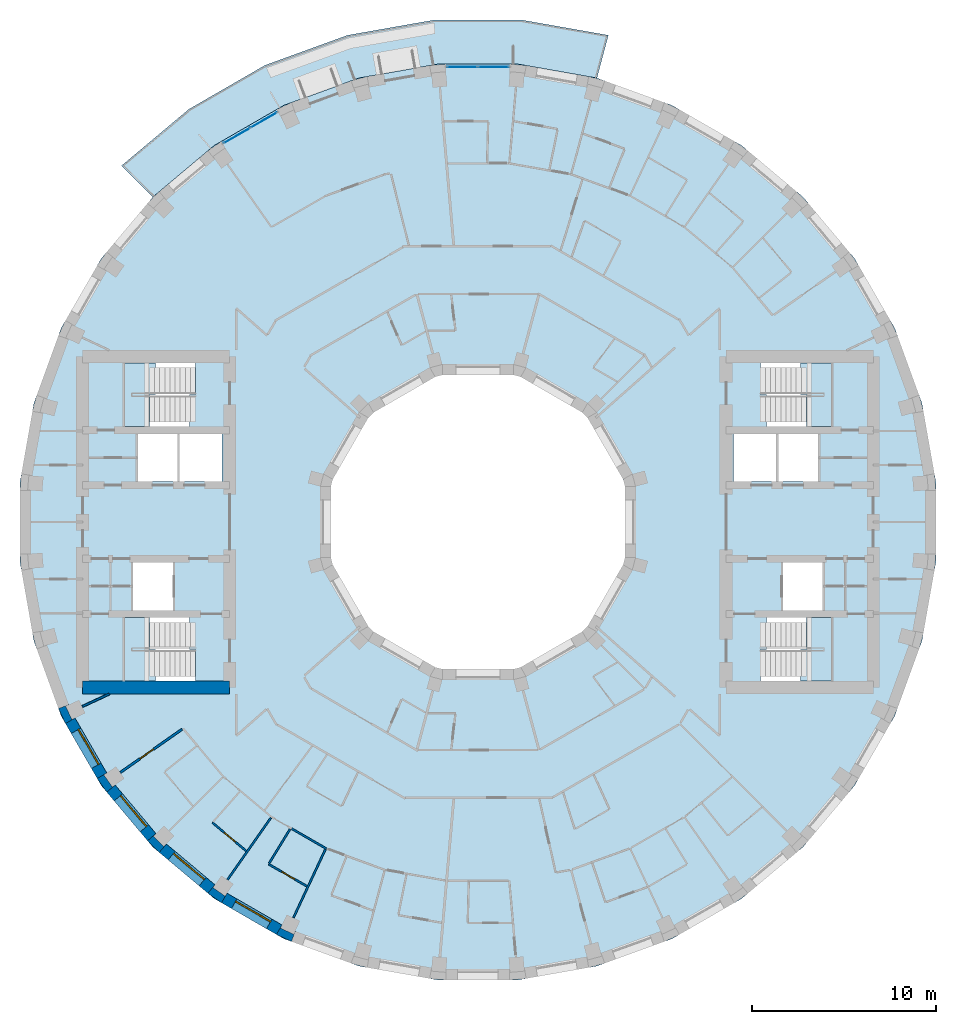
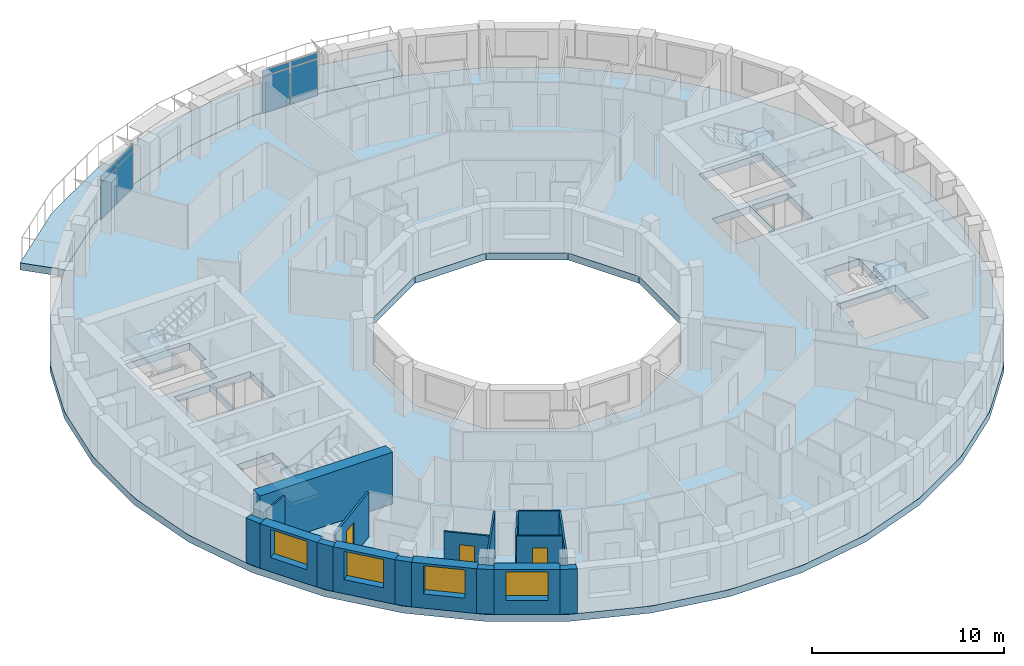
# One storey, part 3 of 14: 18 walls, 8 plates, 6 slabs, 4 windows, 3 doors, 7 openings, 6 elements without a shape of their own.
"""IFC4 building model written with IfcOpenShell, lengths in metres."""

from ifc_helpers import new_model, si_unit, direction, frame, frame_2d, origin, origin_2d, place, context, subcontext, project, spatial, polyline, rectangle, outline, extrude, material, layer, layer_set, type_object, element, fill, aggregate, save


model = new_model("IFC4")

# Units and contexts
model_context = context("Model", 3, precision=1e-05, world=origin(), true_north=direction((0.0, 1.0)))
body_context = subcontext(model_context, "Body", "Model", "MODEL_VIEW")
ifc_project = project(units=[si_unit("LENGTHUNIT", "METRE"), si_unit("AREAUNIT", "SQUARE_METRE"), si_unit("VOLUMEUNIT", "CUBIC_METRE"), si_unit("PLANEANGLEUNIT", "RADIAN"), si_unit("MASSUNIT", "GRAM", prefix="KILO")], contexts=[model_context])

# Site, building, storey
site_placement = place(None, origin())
site = spatial("IfcSite", under=ifc_project, at=site_placement, CompositionType="ELEMENT")
building_placement = place(site_placement, origin())
building = spatial("IfcBuilding", under=site, at=building_placement, Name="Saqina Gate Tower", CompositionType="ELEMENT")
storey_placement = place(building_placement, frame((0.0, 0.0, 210.300048828125)))
storey = spatial("IfcBuildingStorey", under=building, at=storey_placement, Name="L60", CompositionType="ELEMENT", Elevation=210.300048828125)

# Curtain wall, plates
ifc_material_1 = material(Name="Aluminium glazing", Category="aluminium")
ifc_layer_1 = layer(ifc_material_1, 0.159912109375)
ifc_layer_set_1 = layer_set([ifc_layer_1], Name="CWT-4")
curtain_wall_type = type_object("IfcCurtainWallType", Name="CWT-4", PredefinedType="NOTDEFINED", material=ifc_layer_set_1)
curtain_wall_1_placement = place(storey_placement, origin())
curtain_wall_1 = element("IfcCurtainWall", 1, at=curtain_wall_1_placement, inside=storey, type_object=curtain_wall_type, Name="Terrace lounge glazing facet 9", PredefinedType="NOTDEFINED")
ifc_material_2 = material(Name="Glass", Category="glass")
ifc_layer_2 = layer(ifc_material_2, 0.028076171875)
ifc_layer_set_2 = layer_set([ifc_layer_2], Name="CWT-4P")
plate_type = type_object("IfcPlateType", Name="CWT-4P", PredefinedType="CURTAIN_PANEL", material=ifc_layer_set_2)
plate_1_placement = place(storey_placement, frame((0.847412109375, 24.7548828125, 0.059814453125), z_axis=(0.0, 0.0, 1.0), x_axis=(-1.0, 0.0, 0.0)))
plate_1 = element("IfcPlate", 2, at=plate_1_placement, type_object=plate_type, Name="CW4-09 panel 1.1", PredefinedType="CURTAIN_PANEL", context=body_context, shape_type="SweptSolid", body=[
    extrude(rectangle(XDim=1.635009765625, YDim=0.028076171875, at=origin_2d()), origin(), (0.0, 0.0, 1.0), 2.31005859375),
])
plate_2_placement = place(storey_placement, frame((0.847412109375, 24.7548828125, 2.4296875), z_axis=(0.0, 0.0, 1.0), x_axis=(-1.0, 0.0, 0.0)))
plate_2 = element("IfcPlate", 3, at=plate_2_placement, type_object=plate_type, Name="CW4-09 panel 1.2", PredefinedType="CURTAIN_PANEL", context=body_context, shape_type="SweptSolid", body=[
    extrude(rectangle(XDim=1.635009765625, YDim=0.028076171875, at=origin_2d()), origin(), (0.0, 0.0, 1.0), 0.360107421875),
])
plate_3_placement = place(storey_placement, frame((-0.847412109375, 24.7548828125, 0.059814453125), z_axis=(0.0, 0.0, 1.0), x_axis=(-1.0, 0.0, 0.0)))
plate_3 = element("IfcPlate", 4, at=plate_3_placement, type_object=plate_type, Name="CW4-09 panel 2.1", PredefinedType="CURTAIN_PANEL", context=body_context, shape_type="SweptSolid", body=[
    extrude(rectangle(XDim=1.635009765625, YDim=0.028076171875, at=origin_2d()), origin(), (0.0, 0.0, 1.0), 2.31005859375),
])
plate_4_placement = place(storey_placement, frame((-0.847412109375, 24.7548828125, 2.4296875), z_axis=(0.0, 0.0, 1.0), x_axis=(-1.0, 0.0, 0.0)))
plate_4 = element("IfcPlate", 5, at=plate_4_placement, type_object=plate_type, Name="CW4-09 panel 2.2", PredefinedType="CURTAIN_PANEL", context=body_context, shape_type="SweptSolid", body=[
    extrude(rectangle(XDim=1.635009765625, YDim=0.028076171875, at=origin_2d()), origin(), (0.0, 0.0, 1.0), 0.360107421875),
])
aggregate(curtain_wall_1, [plate_1, plate_2, plate_3, plate_4])

curtain_wall_2_placement = place(storey_placement, origin())
curtain_wall_2 = element("IfcCurtainWall", 6, at=curtain_wall_2_placement, inside=storey, type_object=curtain_wall_type, Name="Terrace lounge glazing facet 12", PredefinedType="NOTDEFINED")
plate_5_placement = place(storey_placement, frame((-11.6435546875, 21.862060546875, 0.059814453125), z_axis=(0.0, 0.0, 1.0), x_axis=(-0.866017110341, -0.500014364391, 0.0)))
plate_5 = element("IfcPlate", 7, at=plate_5_placement, type_object=plate_type, Name="CW4-12 panel 1.1", PredefinedType="CURTAIN_PANEL", context=body_context, shape_type="SweptSolid", body=[
    extrude(rectangle(XDim=1.634765625, YDim=0.028076171875, at=origin_2d()), origin(), (0.0, 0.0, 1.0), 2.31005859375),
])
plate_6_placement = place(storey_placement, frame((-11.6435546875, 21.862060546875, 2.4296875), z_axis=(0.0, 0.0, 1.0), x_axis=(-0.866017110341, -0.500014364391, 0.0)))
plate_6 = element("IfcPlate", 8, at=plate_6_placement, type_object=plate_type, Name="CW4-12 panel 1.2", PredefinedType="CURTAIN_PANEL", context=body_context, shape_type="SweptSolid", body=[
    extrude(rectangle(XDim=1.634765625, YDim=0.028076171875, at=origin_2d()), origin(), (0.0, 0.0, 1.0), 0.360107421875),
])
plate_7_placement = place(storey_placement, frame((-13.111328125, 21.0146484375, 0.059814453125), z_axis=(0.0, 0.0, 1.0), x_axis=(-0.866017110341, -0.500014364391, 0.0)))
plate_7 = element("IfcPlate", 9, at=plate_7_placement, type_object=plate_type, Name="CW4-12 panel 2.1", PredefinedType="CURTAIN_PANEL", context=body_context, shape_type="SweptSolid", body=[
    extrude(rectangle(XDim=1.634765625, YDim=0.028076171875, at=origin_2d()), origin(), (0.0, 0.0, 1.0), 2.31005859375),
])
plate_8_placement = place(storey_placement, frame((-13.111328125, 21.0146484375, 2.4296875), z_axis=(0.0, 0.0, 1.0), x_axis=(-0.866017110341, -0.500014364391, 0.0)))
plate_8 = element("IfcPlate", 10, at=plate_8_placement, type_object=plate_type, Name="CW4-12 panel 2.2", PredefinedType="CURTAIN_PANEL", context=body_context, shape_type="SweptSolid", body=[
    extrude(rectangle(XDim=1.634765625, YDim=0.028076171875, at=origin_2d()), origin(), (0.0, 0.0, 1.0), 0.360107421875),
])
aggregate(curtain_wall_2, [plate_5, plate_6, plate_7, plate_8])

# Stair, slab
ifc_material_3 = material(Name="Concrete C40/50", Category="concrete")
stair_type = type_object("IfcStairType", Name="EXIT STAIR", PredefinedType="HALF_TURN_STAIR", material=ifc_material_3)
stair_1_placement = place(storey_placement, origin())
stair_1 = element("IfcStair", 11, at=stair_1_placement, inside=storey, type_object=stair_type, Name="EXIT STAIR 1", PredefinedType="HALF_TURN_STAIR")
ifc_material_4 = material(Name="Concrete C40/50", Category="concrete")
ifc_layer_3 = layer(ifc_material_4, 0.25)
ifc_layer_set_3 = layer_set([ifc_layer_3], Name="Concrete C40/50")
slab_type_1 = type_object("IfcSlabType", Name="EXIT STAIR LANDING", PredefinedType="LANDING", material=ifc_layer_set_3)
slab_1_placement = place(storey_placement, frame((0.0, 0.0, 1.39990234375)))
slab_1 = element("IfcSlab", 12, at=slab_1_placement, type_object=slab_type_1, Name="EXIT STAIR 1 LANDING 1", PredefinedType="LANDING", context=body_context, shape_type="SweptSolid", body=[
    extrude(outline(polyline([(19.219970703125, 8.64990234375), (19.219970703125, 5.199951171875), (17.864990234375, 5.199951171875), (17.864990234375, 6.925048828125), (17.534423828125, 6.925048828125), (17.534423828125, 8.64990234375), (17.864990234375, 8.64990234375), (17.8701171875, 8.64990234375), (19.219970703125, 8.64990234375)])), origin(), (0.0, 0.0, 1.0), 0.25),
])
aggregate(stair_1, [slab_1])

stair_2_placement = place(storey_placement, origin())
stair_2 = element("IfcStair", 13, at=stair_2_placement, inside=storey, type_object=stair_type, Name="EXIT STAIR 2", PredefinedType="HALF_TURN_STAIR")
slab_2_placement = place(storey_placement, frame((0.0, 0.0, 1.39990234375)))
slab_2 = element("IfcSlab", 14, at=slab_2_placement, type_object=slab_type_1, Name="EXIT STAIR 2 LANDING 1", PredefinedType="LANDING", context=body_context, shape_type="SweptSolid", body=[
    extrude(outline(polyline([(17.534423828125, -8.64990234375), (17.534423828125, -6.925048828125), (17.864990234375, -6.925048828125), (17.864990234375, -5.199951171875), (19.219970703125, -5.199951171875), (19.219970703125, -8.64990234375), (17.8701171875, -8.64990234375), (17.864990234375, -8.64990234375), (17.534423828125, -8.64990234375)])), origin(), (0.0, 0.0, 1.0), 0.25),
])
aggregate(stair_2, [slab_2])

stair_3_placement = place(storey_placement, origin())
stair_3 = element("IfcStair", 15, at=stair_3_placement, inside=storey, type_object=stair_type, Name="EXIT STAIR 3", PredefinedType="HALF_TURN_STAIR")
slab_3_placement = place(storey_placement, frame((0.0, 0.0, 1.39990234375)))
slab_3 = element("IfcSlab", 16, at=slab_3_placement, type_object=slab_type_1, Name="EXIT STAIR 3 LANDING 1", PredefinedType="LANDING", context=body_context, shape_type="SweptSolid", body=[
    extrude(outline(polyline([(-17.864990234375, 5.199951171875), (-19.219970703125, 5.199951171875), (-19.219970703125, 8.64990234375), (-17.8701171875, 8.64990234375), (-17.864990234375, 8.64990234375), (-17.534423828125, 8.64990234375), (-17.534423828125, 6.925048828125), (-17.864990234375, 6.925048828125), (-17.864990234375, 5.199951171875)])), origin(), (0.0, 0.0, 1.0), 0.25),
])
aggregate(stair_3, [slab_3])

stair_4_placement = place(storey_placement, origin())
stair_4 = element("IfcStair", 17, at=stair_4_placement, inside=storey, type_object=stair_type, Name="EXIT STAIR 4", PredefinedType="HALF_TURN_STAIR")
slab_4_placement = place(storey_placement, frame((0.0, 0.0, 1.39990234375)))
slab_4 = element("IfcSlab", 18, at=slab_4_placement, type_object=slab_type_1, Name="EXIT STAIR 4 LANDING 1", PredefinedType="LANDING", context=body_context, shape_type="SweptSolid", body=[
    extrude(outline(polyline([(-17.534423828125, -6.925048828125), (-17.534423828125, -8.64990234375), (-17.864990234375, -8.64990234375), (-17.8701171875, -8.64990234375), (-19.219970703125, -8.64990234375), (-19.219970703125, -5.199951171875), (-17.864990234375, -5.199951171875), (-17.864990234375, -6.925048828125), (-17.534423828125, -6.925048828125)])), origin(), (0.0, 0.0, 1.0), 0.25),
])
aggregate(stair_4, [slab_4])

# Slabs
ifc_material_5 = material(Name="Concrete C40/50", Category="concrete")
ifc_layer_4 = layer(ifc_material_5, 0.449951171875)
ifc_layer_set_4 = layer_set([ifc_layer_4], Name="Concrete C40/50")
slab_type_2 = type_object("IfcSlabType", Name="STR-POST-TENSIONED FLAT PLATE FLOOR-450", PredefinedType="FLOOR", material=ifc_layer_set_4)
slab_5_placement = place(storey_placement, frame((0.0, 0.0, -0.449951171875)))
element("IfcSlab", 19, at=slab_5_placement, inside=storey, type_object=slab_type_2, Name="L60-SLB01", PredefinedType="FLOOR", context=body_context, shape_type="SweptSolid", body=[
    extrude(outline(polyline([(24.148193359375, -6.470458984375), (24.90478515625, -2.178955078125), (24.90478515625, 2.178955078125), (24.148193359375, 6.470458984375), (22.65771484375, 10.5654296875), (20.478759765625, 14.33935546875), (17.677734375, 17.677734375), (14.33935546875, 20.478759765625), (10.5654296875, 22.65771484375), (6.470458984375, 24.148193359375), (2.178955078125, 24.90478515625), (-2.178955078125, 24.90478515625), (-6.470458984375, 24.148193359375), (-10.5654296875, 22.65771484375), (-14.33935546875, 20.478759765625), (-17.677734375, 17.677734375), (-20.478759765625, 14.33935546875), (-22.65771484375, 10.5654296875), (-24.148193359375, 6.470458984375), (-24.90478515625, 2.178955078125), (-24.90478515625, -2.178955078125), (-24.148193359375, -6.470458984375), (-22.65771484375, -10.5654296875), (-20.478759765625, -14.33935546875), (-17.677734375, -17.677734375), (-14.33935546875, -20.478759765625), (-10.5654296875, -22.65771484375), (-6.470458984375, -24.148193359375), (-2.178955078125, -24.90478515625), (2.178955078125, -24.90478515625), (6.470458984375, -24.148193359375), (10.5654296875, -22.65771484375), (14.33935546875, -20.478759765625), (17.677734375, -17.677734375), (20.478759765625, -14.33935546875), (22.65771484375, -10.5654296875), (24.148193359375, -6.470458984375)]), holes=[polyline([(2.1435546875, 8.0), (5.8564453125, 5.8564453125), (8.0, 2.1435546875), (8.0, -2.1435546875), (5.8564453125, -5.8564453125), (2.1435546875, -8.0), (-2.1435546875, -8.0), (-5.8564453125, -5.8564453125), (-8.0, -2.1435546875), (-8.0, 2.1435546875), (-5.8564453125, 5.8564453125), (-2.1435546875, 8.0), (2.1435546875, 8.0)]), polyline([(-15.35498046875, -8.64990234375), (-19.219970703125, -8.64990234375), (-19.219970703125, -6.925048828125), (-19.219970703125, -5.199951171875), (-15.685546875, -5.199951171875), (-15.685546875, -6.925048828125), (-15.35498046875, -6.925048828125), (-15.35498046875, -8.64990234375)]), polyline([(-16.590087890625, -2.199951171875), (-16.590087890625, -4.800048828125), (-18.75, -4.800048828125), (-18.75, -2.199951171875), (-16.590087890625, -2.199951171875)]), polyline([(-16.340087890625, 4.800048828125), (-16.340087890625, 2.199951171875), (-18.5, 2.199951171875), (-18.5, 4.800048828125), (-16.340087890625, 4.800048828125)]), polyline([(-13.909912109375, 4.800048828125), (-13.909912109375, 2.199951171875), (-16.219970703125, 2.199951171875), (-16.219970703125, 4.800048828125), (-13.909912109375, 4.800048828125)]), polyline([(-19.219970703125, 6.925048828125), (-19.219970703125, 8.64990234375), (-15.35498046875, 8.64990234375), (-15.35498046875, 6.925048828125), (-15.685546875, 6.925048828125), (-15.685546875, 5.199951171875), (-19.219970703125, 5.199951171875), (-19.219970703125, 6.925048828125)]), polyline([(15.35498046875, -8.64990234375), (15.35498046875, -6.925048828125), (15.685546875, -6.925048828125), (15.685546875, -5.199951171875), (19.219970703125, -5.199951171875), (19.219970703125, -6.925048828125), (19.219970703125, -8.64990234375), (15.35498046875, -8.64990234375)]), polyline([(18.75, -2.199951171875), (18.75, -4.800048828125), (16.590087890625, -4.800048828125), (16.590087890625, -2.199951171875), (18.75, -2.199951171875)]), polyline([(16.219970703125, 4.800048828125), (16.219970703125, 2.199951171875), (13.909912109375, 2.199951171875), (13.909912109375, 4.800048828125), (16.219970703125, 4.800048828125)]), polyline([(18.5, 4.800048828125), (18.5, 2.199951171875), (16.340087890625, 2.199951171875), (16.340087890625, 4.800048828125), (18.5, 4.800048828125)]), polyline([(15.685546875, 6.925048828125), (15.35498046875, 6.925048828125), (15.35498046875, 8.64990234375), (19.219970703125, 8.64990234375), (19.219970703125, 6.925048828125), (19.219970703125, 5.199951171875), (15.685546875, 5.199951171875), (15.685546875, 6.925048828125)])]), origin(), (0.0, 0.0, 1.0), 0.449951171875),
])
ifc_material_6 = material(Name="Concrete C40/50", Category="concrete")
ifc_layer_5 = layer(ifc_material_6, 0.449951171875)
ifc_layer_set_5 = layer_set([ifc_layer_5], Name="Concrete C40/50")
slab_type_3 = type_object("IfcSlabType", Name="STR-POST-TENSIONED FLAT PLATE TERRACE-450", PredefinedType="FLOOR", material=ifc_layer_set_5)
slab_6_placement = place(storey_placement, frame((0.0, 0.0, -0.449951171875)))
element("IfcSlab", 20, at=slab_6_placement, inside=storey, type_object=slab_type_3, Name="L60-TRS01", PredefinedType="FLOOR", context=body_context, shape_type="SweptSolid", body=[
    extrude(outline(polyline([(6.470458984375, 24.148193359375), (2.178955078125, 24.90478515625), (-2.178955078125, 24.90478515625), (-6.470458984375, 24.148193359375), (-10.5654296875, 22.65771484375), (-14.33935546875, 20.478759765625), (-17.677734375, 17.677734375), (-19.381103515625, 19.381103515625), (-15.72119140625, 22.452392578125), (-11.58349609375, 24.841064453125), (-7.093994140625, 26.475341796875), (-2.388916015625, 27.304931640625), (2.388916015625, 27.304931640625), (7.093994140625, 26.475341796875), (6.470458984375, 24.148193359375)])), origin(), (0.0, 0.0, 1.0), 0.449951171875),
])

# Walls
ifc_material_7 = material(Name="Brick masonry (buff)", Category="masonry")
wall_type_1 = type_object("IfcWallType", Name="BRICK PIER COPING BUFF", PredefinedType="SOLIDWALL", material=ifc_material_7)
wall_1_placement = place(storey_placement, origin())
element("IfcWall", 21, at=wall_1_placement, inside=storey, type_object=wall_type_1, Name="Pier cap L60 column 21", PredefinedType="SOLIDWALL", context=body_context, shape_type="SweptSolid", body=[
    extrude(outline(polyline([(-22.4306640625, -10.958740234375), (-21.9111328125, -10.65869140625), (-22.080810546875, -10.73779296875), (-22.4189453125, -10.0126953125), (-22.249267578125, -9.93359375), (-22.81298828125, -10.138916015625), (-22.4306640625, -10.958740234375)])), origin(), (0.0, 0.0, 1.0), 2.849853515625),
])
wall_2_placement = place(storey_placement, origin())
element("IfcWall", 22, at=wall_2_placement, inside=storey, type_object=wall_type_1, Name="Pier cap L60 column 22", PredefinedType="SOLIDWALL", context=body_context, shape_type="SweptSolid", body=[
    extrude(outline(polyline([(-20.705810546875, -13.9462890625), (-20.18701171875, -14.687255859375), (-19.727294921875, -14.301513671875), (-19.880859375, -14.408935546875), (-20.339599609375, -13.753662109375), (-20.186279296875, -13.646240234375), (-20.705810546875, -13.9462890625)])), origin(), (0.0, 0.0, 1.0), 2.849853515625),
])
wall_3_placement = place(storey_placement, origin())
element("IfcWall", 23, at=wall_3_placement, inside=storey, type_object=wall_type_1, Name="Pier cap L60 column 23", PredefinedType="SOLIDWALL", context=body_context, shape_type="SweptSolid", body=[
    extrude(outline(polyline([(-17.329833984375, -17.969482421875), (-16.944091796875, -17.510009765625), (-17.07666015625, -17.642333984375), (-17.642333984375, -17.07666015625), (-17.510009765625, -16.944091796875), (-17.969482421875, -17.329833984375), (-17.329833984375, -17.969482421875)])), origin(), (0.0, 0.0, 1.0), 2.849853515625),
])
wall_4_placement = place(storey_placement, origin())
element("IfcWall", 24, at=wall_4_placement, inside=storey, type_object=wall_type_1, Name="Pier cap L60 column 24", PredefinedType="SOLIDWALL", context=body_context, shape_type="SweptSolid", body=[
    extrude(outline(polyline([(-14.687255859375, -20.18701171875), (-13.9462890625, -20.705810546875), (-13.646240234375, -20.186279296875), (-13.753662109375, -20.339599609375), (-14.408935546875, -19.880859375), (-14.301513671875, -19.727294921875), (-14.687255859375, -20.18701171875)])), origin(), (0.0, 0.0, 1.0), 2.849853515625),
])
wall_5_placement = place(storey_placement, origin())
element("IfcWall", 25, at=wall_5_placement, inside=storey, type_object=wall_type_1, Name="Pier cap L60 column 25", PredefinedType="SOLIDWALL", context=body_context, shape_type="SweptSolid", body=[
    extrude(outline(polyline([(-10.138916015625, -22.81298828125), (-9.93359375, -22.249267578125), (-10.0126953125, -22.4189453125), (-10.73779296875, -22.080810546875), (-10.65869140625, -21.9111328125), (-10.958740234375, -22.4306640625), (-10.138916015625, -22.81298828125)])), origin(), (0.0, 0.0, 1.0), 2.849853515625),
])

# Wall, opening, window
ifc_material_8 = material(Name="Brick masonry (buff)", Category="masonry")
ifc_layer_6 = layer(ifc_material_8, 0.60009765625)
ifc_layer_set_6 = layer_set([ifc_layer_6], Name="FW-BRICK-BUFF")
wall_type_2 = type_object("IfcWallType", Name="FW-BRICK-BUFF", PredefinedType="SOLIDWALL", material=ifc_layer_set_6)
wall_6_placement = place(storey_placement, frame((-22.1708984375, -10.80859375, 0.0), z_axis=(0.0, 0.0, 1.0), x_axis=(0.499998129301, -0.86602648383, 0.0)))
wall_6 = element("IfcWall", 26, at=wall_6_placement, inside=storey, type_object=wall_type_2, Name="Facade wall L60 facet 21", PredefinedType="SOLIDWALL", context=body_context, shape_type="SweptSolid", body=[
    extrude(rectangle(XDim=3.44970703125, YDim=0.60009765625, at=frame_2d((1.724853515625, 0.0))), origin(), (0.0, 0.0, 1.0), 2.849853515625),
])
opening_1_placement = place(wall_6_placement, frame((0.625, 0.0, 0.89990234375)))
opening_1 = element("IfcOpeningElement", 27, at=opening_1_placement, cuts=wall_6, Name="Opening G18-W10", PredefinedType="OPENING", context=body_context, shape_type="SweptSolid", body=[
    extrude(rectangle(XDim=2.199951171875, YDim=1.800048828125, at=frame_2d((1.10009765625, 0.89990234375))), frame((0.0, 0.31201171875, 0.0), z_axis=(0.0, -1.0, 0.0), x_axis=(1.0, 0.0, 0.0)), (0.0, 0.0, 1.0), 0.6240234375),
])
ifc_material_9 = material(Name="Aluminium glazing", Category="aluminium")
window_type = type_object("IfcWindowType", Name="WN-C", PartitioningType="SINGLE_PANEL", PredefinedType="WINDOW", material=ifc_material_9)
window_1_placement = place(opening_1_placement, origin())
window_1 = element("IfcWindow", 28, at=window_1_placement, inside=storey, type_object=window_type, Name="Window L60 facet 21", OverallHeight=1.800048828125, OverallWidth=2.199951171875, PartitioningType="SINGLE_PANEL", PredefinedType="WINDOW", context=body_context, shape_type="SweptSolid", body=[
    extrude(rectangle(XDim=2.199951171875, YDim=1.800048828125, at=frame_2d((1.10009765625, 0.89990234375))), frame((0.0, 0.179931640625, 0.0), z_axis=(0.0, -1.0, 0.0), x_axis=(1.0, 0.0, 0.0)), (0.0, 0.0, 1.0), 0.06005859375),
])
fill(opening_1, window_1)

wall_7_placement = place(storey_placement, frame((-19.95703125, -14.494384765625, 0.0), z_axis=(0.0, 0.0, 1.0), x_axis=(0.642770398358, -0.766058884809, 0.0)))
wall_7 = element("IfcWall", 29, at=wall_7_placement, inside=storey, type_object=wall_type_2, Name="Facade wall L60 facet 22", PredefinedType="SOLIDWALL", context=body_context, shape_type="SweptSolid", body=[
    extrude(rectangle(XDim=3.449462890625, YDim=0.60009765625, at=frame_2d((1.724609375, 0.0))), origin(), (0.0, 0.0, 1.0), 2.849853515625),
])
opening_2_placement = place(wall_7_placement, frame((0.625, 0.0, 0.89990234375)))
opening_2 = element("IfcOpeningElement", 30, at=opening_2_placement, cuts=wall_7, Name="Opening G18-W11", PredefinedType="OPENING", context=body_context, shape_type="SweptSolid", body=[
    extrude(rectangle(XDim=2.199951171875, YDim=1.800048828125, at=frame_2d((1.10009765625, 0.89990234375))), frame((0.0, 0.31201171875, 0.0), z_axis=(0.0, -1.0, 0.0), x_axis=(1.0, 0.0, 0.0)), (0.0, 0.0, 1.0), 0.6240234375),
])
window_2_placement = place(opening_2_placement, origin())
window_2 = element("IfcWindow", 31, at=window_2_placement, inside=storey, type_object=window_type, Name="Window L60 facet 22", OverallHeight=1.800048828125, OverallWidth=2.199951171875, PartitioningType="SINGLE_PANEL", PredefinedType="WINDOW", context=body_context, shape_type="SweptSolid", body=[
    extrude(rectangle(XDim=2.199951171875, YDim=1.800048828125, at=frame_2d((1.10009765625, 0.89990234375))), frame((0.0, 0.179931640625, 0.0), z_axis=(0.0, -1.0, 0.0), x_axis=(1.0, 0.0, 0.0)), (0.0, 0.0, 1.0), 0.06005859375),
])
fill(opening_2, window_2)

wall_8_placement = place(storey_placement, frame((-17.136962890625, -17.73974609375, 0.0), z_axis=(0.0, 0.0, 1.0), x_axis=(0.766058884809, -0.642770398358, 0.0)))
wall_8 = element("IfcWall", 32, at=wall_8_placement, inside=storey, type_object=wall_type_2, Name="Facade wall L60 facet 23", PredefinedType="SOLIDWALL", context=body_context, shape_type="SweptSolid", body=[
    extrude(rectangle(XDim=3.449462890625, YDim=0.60009765625, at=frame_2d((1.724609375, 0.0))), origin(), (0.0, 0.0, 1.0), 2.849853515625),
])
opening_3_placement = place(wall_8_placement, frame((0.625, 0.0, 0.89990234375)))
opening_3 = element("IfcOpeningElement", 33, at=opening_3_placement, cuts=wall_8, Name="Opening G18-W12", PredefinedType="OPENING", context=body_context, shape_type="SweptSolid", body=[
    extrude(rectangle(XDim=2.199951171875, YDim=1.800048828125, at=frame_2d((1.10009765625, 0.89990234375))), frame((0.0, 0.31201171875, 0.0), z_axis=(0.0, -1.0, 0.0), x_axis=(1.0, 0.0, 0.0)), (0.0, 0.0, 1.0), 0.6240234375),
])
window_3_placement = place(opening_3_placement, origin())
window_3 = element("IfcWindow", 34, at=window_3_placement, inside=storey, type_object=window_type, Name="Window L60 facet 23", OverallHeight=1.800048828125, OverallWidth=2.199951171875, PartitioningType="SINGLE_PANEL", PredefinedType="WINDOW", context=body_context, shape_type="SweptSolid", body=[
    extrude(rectangle(XDim=2.199951171875, YDim=1.800048828125, at=frame_2d((1.10009765625, 0.89990234375))), frame((0.0, 0.179931640625, 0.0), z_axis=(0.0, -1.0, 0.0), x_axis=(1.0, 0.0, 0.0)), (0.0, 0.0, 1.0), 0.06005859375),
])
fill(opening_3, window_3)

wall_9_placement = place(storey_placement, frame((-13.796142578125, -20.446044921875, 0.0), z_axis=(0.0, 0.0, 1.0), x_axis=(0.86602648383, -0.499998129301, 0.0)))
wall_9 = element("IfcWall", 35, at=wall_9_placement, inside=storey, type_object=wall_type_2, Name="Facade wall L60 facet 24", PredefinedType="SOLIDWALL", context=body_context, shape_type="SweptSolid", body=[
    extrude(rectangle(XDim=3.44970703125, YDim=0.60009765625, at=frame_2d((1.724853515625, 0.0))), origin(), (0.0, 0.0, 1.0), 2.849853515625),
])
opening_4_placement = place(wall_9_placement, frame((0.625, 0.0, 0.89990234375)))
opening_4 = element("IfcOpeningElement", 36, at=opening_4_placement, cuts=wall_9, Name="Opening G18-W13", PredefinedType="OPENING", context=body_context, shape_type="SweptSolid", body=[
    extrude(rectangle(XDim=2.199951171875, YDim=1.800048828125, at=frame_2d((1.10009765625, 0.89990234375))), frame((0.0, 0.31201171875, 0.0), z_axis=(0.0, -1.0, 0.0), x_axis=(1.0, 0.0, 0.0)), (0.0, 0.0, 1.0), 0.6240234375),
])
window_4_placement = place(opening_4_placement, origin())
window_4 = element("IfcWindow", 37, at=window_4_placement, inside=storey, type_object=window_type, Name="Window L60 facet 24", OverallHeight=1.800048828125, OverallWidth=2.199951171875, PartitioningType="SINGLE_PANEL", PredefinedType="WINDOW", context=body_context, shape_type="SweptSolid", body=[
    extrude(rectangle(XDim=2.199951171875, YDim=1.800048828125, at=frame_2d((1.10009765625, 0.89990234375))), frame((0.0, 0.179931640625, 0.0), z_axis=(0.0, -1.0, 0.0), x_axis=(1.0, 0.0, 0.0)), (0.0, 0.0, 1.0), 0.06005859375),
])
fill(opening_4, window_4)

# Wall, opening, door
ifc_material_10 = material(Name="Gypsum board on steel studs, 100 mm", Category="steel")
ifc_layer_7 = layer(ifc_material_10, 0.10009765625)
ifc_layer_set_7 = layer_set([ifc_layer_7], Name="PARTITION 100")
wall_type_3 = type_object("IfcWallType", Name="PARTITION 100", PredefinedType="PARTITIONING", material=ifc_layer_set_7)
wall_10_placement = place(storey_placement, frame((-14.44189453125, -16.345947265625, 0.0), z_axis=(0.0, 0.0, 1.0), x_axis=(0.765878189611, -0.642985690882, 0.0)))
wall_10 = element("IfcWall", 38, at=wall_10_placement, inside=storey, type_object=wall_type_3, Name="PARTITION PW3-21", PredefinedType="PARTITIONING", context=body_context, shape_type="SweptSolid", body=[
    extrude(rectangle(XDim=2.413818359375, YDim=0.10009765625, at=frame_2d((1.20703125, 0.0))), origin(), (0.0, 0.0, 1.0), 2.849853515625),
])
opening_5_placement = place(wall_10_placement, frame((0.831787109375, 0.0, 0.0)))
opening_5 = element("IfcOpeningElement", 39, at=opening_5_placement, cuts=wall_10, Name="Opening G18-D29", PredefinedType="OPENING", context=body_context, shape_type="SweptSolid", body=[
    extrude(rectangle(XDim=0.800048828125, YDim=2.10009765625, at=frame_2d((0.39990234375, 1.050048828125))), frame((0.0, 0.06201171875, 0.0), z_axis=(0.0, -1.0, 0.0), x_axis=(1.0, 0.0, 0.0)), (0.0, 0.0, 1.0), 0.1240234375),
])
ifc_material_11 = material(Name="Timber door leaf, 800 mm", Category="wood")
door_type_1 = type_object("IfcDoorType", Name="DOOR 800 TIMBER", OperationType="SINGLE_SWING_LEFT", PredefinedType="DOOR", material=ifc_material_11)
door_1_placement = place(opening_5_placement, frame((0.800048828125, 0.0, 0.0), z_axis=(0.0, 0.0, 1.0), x_axis=(-1.0, 0.0, 0.0)))
door_1 = element("IfcDoor", 40, at=door_1_placement, inside=storey, type_object=door_type_1, Name="DOOR G18-D29", OperationType="SINGLE_SWING_LEFT", OverallHeight=2.10009765625, OverallWidth=0.800048828125, PredefinedType="DOOR", context=body_context, shape_type="SweptSolid", body=[
    extrude(rectangle(XDim=0.800048828125, YDim=2.10009765625, at=frame_2d((0.39990234375, 1.050048828125))), frame((0.0, 0.02490234375, 0.0), z_axis=(0.0, -1.0, 0.0), x_axis=(1.0, 0.0, 0.0)), (0.0, 0.0, 1.0), 0.050048828125),
])
fill(opening_5, door_1)

wall_11_placement = place(storey_placement, frame((-11.385009765625, -18.60498046875, 0.0), z_axis=(0.0, 0.0, 1.0), x_axis=(0.866145191815, -0.499792463624, 0.0)))
wall_11 = element("IfcWall", 41, at=wall_11_placement, inside=storey, type_object=wall_type_3, Name="PARTITION PW3-25", PredefinedType="PARTITIONING", context=body_context, shape_type="SweptSolid", body=[
    extrude(rectangle(XDim=2.4150390625, YDim=0.10009765625, at=frame_2d((1.20751953125, 0.0))), origin(), (0.0, 0.0, 1.0), 2.849853515625),
])
opening_6_placement = place(wall_11_placement, frame((0.83251953125, 0.0, 0.0)))
opening_6 = element("IfcOpeningElement", 42, at=opening_6_placement, cuts=wall_11, Name="Opening G18-D34", PredefinedType="OPENING", context=body_context, shape_type="SweptSolid", body=[
    extrude(rectangle(XDim=0.800048828125, YDim=2.10009765625, at=frame_2d((0.39990234375, 1.050048828125))), frame((0.0, 0.06201171875, 0.0), z_axis=(0.0, -1.0, 0.0), x_axis=(1.0, 0.0, 0.0)), (0.0, 0.0, 1.0), 0.1240234375),
])
door_2_placement = place(opening_6_placement, frame((0.800048828125, 0.0, 0.0), z_axis=(0.0, 0.0, 1.0), x_axis=(-1.0, 0.0, 0.0)))
door_2 = element("IfcDoor", 43, at=door_2_placement, inside=storey, type_object=door_type_1, Name="DOOR G18-D34", OperationType="SINGLE_SWING_LEFT", OverallHeight=2.10009765625, OverallWidth=0.800048828125, PredefinedType="DOOR", context=body_context, shape_type="SweptSolid", body=[
    extrude(rectangle(XDim=0.800048828125, YDim=2.10009765625, at=frame_2d((0.39990234375, 1.050048828125))), frame((0.0, 0.02490234375, 0.0), z_axis=(0.0, -1.0, 0.0), x_axis=(1.0, 0.0, 0.0)), (0.0, 0.0, 1.0), 0.050048828125),
])
fill(opening_6, door_2)

# Walls
wall_12_placement = place(storey_placement, frame((-10.1298828125, -16.67431640625, 0.0), z_axis=(0.0, 0.0, 1.0), x_axis=(0.866104006239, -0.499863831834, 0.0)))
element("IfcWall", 44, at=wall_12_placement, inside=storey, type_object=wall_type_3, Name="PARTITION PW3-26", PredefinedType="PARTITIONING", context=body_context, shape_type="SweptSolid", body=[
    extrude(rectangle(XDim=2.1923828125, YDim=0.10009765625, at=frame_2d((1.09619140625, 0.0))), origin(), (0.0, 0.0, 1.0), 2.849853515625),
])
wall_13_placement = place(storey_placement, frame((-21.515625, -10.033203125, 0.0), z_axis=(0.0, 0.0, 1.0), x_axis=(0.906055596822, 0.423158664648, 0.0)))
element("IfcWall", 45, at=wall_13_placement, inside=storey, type_object=wall_type_3, Name="PARTITION PW3-54", PredefinedType="PARTITIONING", context=body_context, shape_type="SweptSolid", body=[
    extrude(rectangle(XDim=1.6142578125, YDim=0.10009765625, at=frame_2d((0.80712890625, 0.0))), origin(), (0.0, 0.0, 1.0), 2.849853515625),
])
wall_14_placement = place(storey_placement, frame((-13.616943359375, -19.446533203125, 0.0), z_axis=(0.0, 0.0, 1.0), x_axis=(0.573606249772, 0.819131167898, 0.0)))
element("IfcWall", 46, at=wall_14_placement, inside=storey, type_object=wall_type_3, Name="PARTITION PW3-72", PredefinedType="PARTITIONING", context=body_context, shape_type="SweptSolid", body=[
    extrude(rectangle(XDim=4.098876953125, YDim=0.10009765625, at=frame_2d((2.04931640625, 0.0))), origin(), (0.0, 0.0, 1.0), 2.849853515625),
])
wall_15_placement = place(storey_placement, frame((-11.35888671875, -18.562255859375, 0.0), z_axis=(0.0, 0.0, 1.0), x_axis=(0.522122387349, 0.852870572026, 0.0)))
element("IfcWall", 47, at=wall_15_placement, inside=storey, type_object=wall_type_3, Name="PARTITION PW3-75", PredefinedType="PARTITIONING", context=body_context, shape_type="SweptSolid", body=[
    extrude(rectangle(XDim=2.18798828125, YDim=0.10009765625, at=frame_2d((1.093994140625, 0.0))), origin(), (0.0, 0.0, 1.0), 2.849853515625),
])
wall_16_placement = place(storey_placement, frame((-10.032470703125, -21.51611328125, 0.0), z_axis=(0.0, 0.0, 1.0), x_axis=(0.423514808753, 0.90588918018, 0.0)))
element("IfcWall", 48, at=wall_16_placement, inside=storey, type_object=wall_type_3, Name="PARTITION PW3-79", PredefinedType="PARTITIONING", context=body_context, shape_type="SweptSolid", body=[
    extrude(rectangle(XDim=4.09814453125, YDim=0.10009765625, at=frame_2d((2.049072265625, 0.0))), origin(), (0.0, 0.0, 1.0), 2.849853515625),
])

# Wall, opening, door
ifc_material_12 = material(Name="Gypsum board on steel studs, 125 mm, fire rated", Category="steel")
ifc_layer_8 = layer(ifc_material_12, 0.125)
ifc_layer_set_8 = layer_set([ifc_layer_8], Name="PARTITION EI 30 125")
wall_type_4 = type_object("IfcWallType", Name="PARTITION EI 30 125", PredefinedType="PARTITIONING", material=ifc_layer_set_8)
wall_17_placement = place(storey_placement, frame((-19.446533203125, -13.616943359375, 0.0), z_axis=(0.0, 0.0, 1.0), x_axis=(0.819131167898, 0.573606249772, 0.0)))
wall_17 = element("IfcWall", 49, at=wall_17_placement, inside=storey, type_object=wall_type_4, Name="PARTITION PW1-39", PredefinedType="PARTITIONING", context=body_context, shape_type="SweptSolid", body=[
    extrude(rectangle(XDim=4.098876953125, YDim=0.125, at=frame_2d((2.04931640625, 0.0))), origin(), (0.0, 0.0, 1.0), 2.849853515625),
])
opening_7_placement = place(wall_17_placement, frame((1.30126953125, 0.0, 0.0)))
opening_7 = element("IfcOpeningElement", 50, at=opening_7_placement, cuts=wall_17, Name="Opening G18-D26", PredefinedType="OPENING", context=body_context, shape_type="SweptSolid", body=[
    extrude(rectangle(XDim=0.89990234375, YDim=2.10009765625, at=frame_2d((0.449951171875, 1.050048828125))), frame((0.0, 0.074462890625, 0.0), z_axis=(0.0, -1.0, 0.0), x_axis=(1.0, 0.0, 0.0)), (0.0, 0.0, 1.0), 0.14892578125),
])
ifc_material_13 = material(Name="Fire door leaf EI 30, 900 mm")
door_type_2 = type_object("IfcDoorType", Name="DOOR 900 EI 30", OperationType="SINGLE_SWING_LEFT", PredefinedType="DOOR", material=ifc_material_13)
door_3_placement = place(opening_7_placement, origin())
door_3 = element("IfcDoor", 51, at=door_3_placement, inside=storey, type_object=door_type_2, Name="DOOR G18-D26", OperationType="SINGLE_SWING_LEFT", OverallHeight=2.10009765625, OverallWidth=0.89990234375, PredefinedType="DOOR", context=body_context, shape_type="SweptSolid", body=[
    extrude(rectangle(XDim=0.89990234375, YDim=2.10009765625, at=frame_2d((0.449951171875, 1.050048828125))), frame((0.0, 0.02490234375, 0.0), z_axis=(0.0, -1.0, 0.0), x_axis=(1.0, 0.0, 0.0)), (0.0, 0.0, 1.0), 0.050048828125),
])
fill(opening_7, door_3)

# Wall
ifc_material_14 = material(Name="Concrete C60/75", Category="concrete")
ifc_layer_9 = layer(ifc_material_14, 0.699951171875)
ifc_layer_set_9 = layer_set([ifc_layer_9], Name="Concrete C60/75")
wall_type_5 = type_object("IfcWallType", Name="STR-CORE WALL-C-O", PredefinedType="SHEAR", material=ifc_layer_set_9)
wall_18_placement = place(storey_placement, frame((-13.5, -9.0, 0.0), z_axis=(0.0, 0.0, 1.0), x_axis=(-1.0, 0.0, 0.0)))
element("IfcWall", 52, at=wall_18_placement, inside=storey, type_object=wall_type_5, Name="CORE WALL L60 W-SE", PredefinedType="SHEAR", context=body_context, shape_type="SweptSolid", body=[
    extrude(rectangle(XDim=8.0, YDim=0.699951171875, at=frame_2d((4.0, 0.0))), origin(), (0.0, 0.0, 1.0), 3.300048828125),
])

save(model, "model.ifc")
